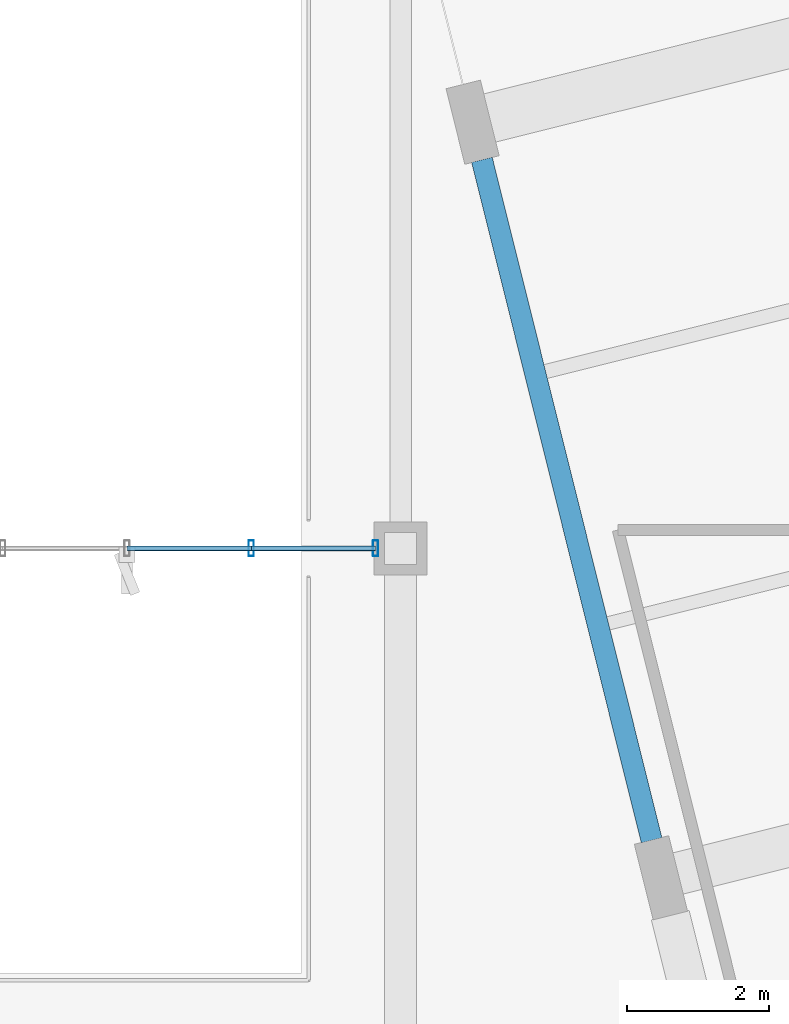
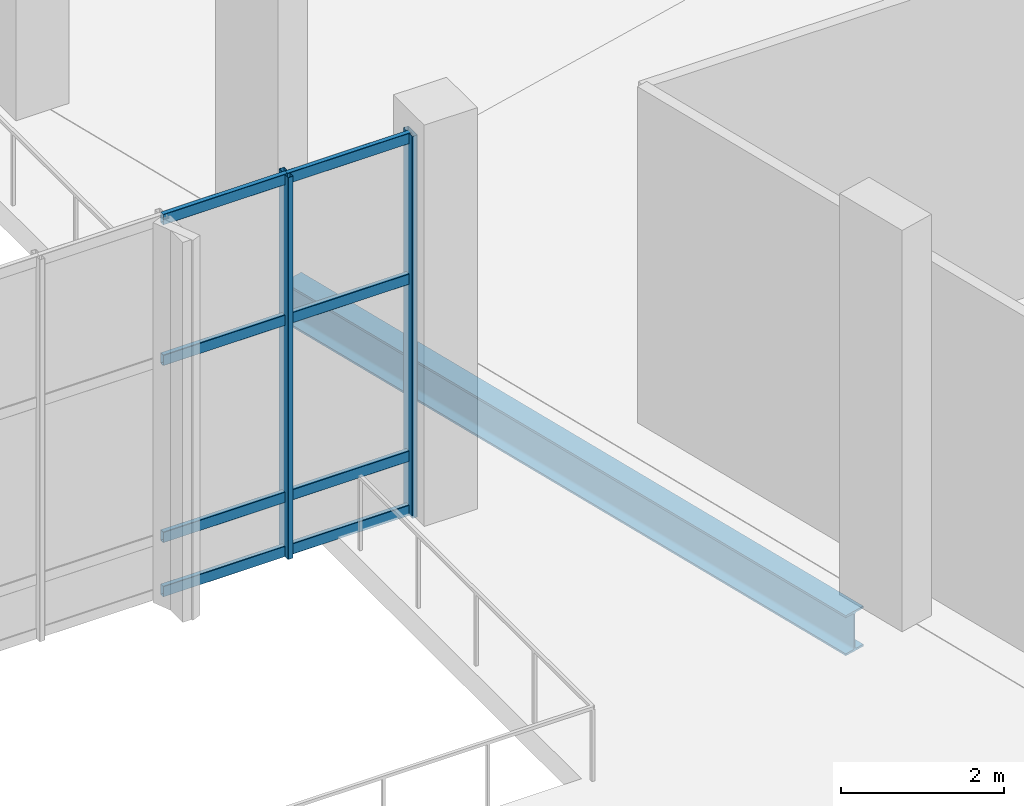
# One storey, part 83 of 163: 10 members, 1 beam, 1 element without a shape of its own.
"""IFC4 building model written with IfcOpenShell, lengths in metres."""

from ifc_helpers import new_model, si_unit, direction, frame, origin, origin_2d, place, context, subcontext, project, spatial, hollow_rectangle, i_section, extrude, material, layer, layer_set, material_profile, profile_set, type_object, element, aggregate, save


model = new_model("IFC4")

# Units and contexts
model_context = context("Model", 3, precision=1e-05, world=origin(), true_north=direction((0.0, 1.0)))
body_context = subcontext(model_context, "Body", "Model", "MODEL_VIEW")
ifc_project = project(units=[si_unit("LENGTHUNIT", "METRE"), si_unit("AREAUNIT", "SQUARE_METRE"), si_unit("VOLUMEUNIT", "CUBIC_METRE"), si_unit("PLANEANGLEUNIT", "RADIAN"), si_unit("MASSUNIT", "GRAM", prefix="KILO")], contexts=[model_context])

# Site, building, storey
site_placement = place(None, origin())
site = spatial("IfcSite", under=ifc_project, at=site_placement, CompositionType="ELEMENT")
building_placement = place(site_placement, origin())
building = spatial("IfcBuilding", under=site, at=building_placement, Name="Khorjan Park Terminus", CompositionType="ELEMENT")
storey_placement = place(building_placement, origin())
storey = spatial("IfcBuildingStorey", under=building, at=storey_placement, Name="L00", CompositionType="ELEMENT", Elevation=0.0)

# Beam
ifc_material_1 = material(Name="Steel S355", Category="steel")
ifc_material_profile_1 = material_profile(ifc_material_1, i_section(OverallWidth=0.3, OverallDepth=0.6, WebThickness=0.0155, FlangeThickness=0.03, FilletRadius=0.027, at=origin_2d()), Name="HEB 600")
ifc_profile_set_1 = profile_set([ifc_material_profile_1], Name="Steel S355")
beam_type = type_object("IfcBeamType", Name="BM-HEB600", PredefinedType="BEAM", material=ifc_profile_set_1)
beam_placement = place(storey_placement, frame((160.5459, 23.8753, -0.66), z_axis=(-0.24192775306, 0.970294265828, 0.0), x_axis=(-0.970294265828, -0.24192775306, 0.0)))
element("IfcBeam", 1, at=beam_placement, inside=storey, type_object=beam_type, Name="Primary skew-grid floor girder SB-B60 (L00)", PredefinedType="BEAM", context=body_context, shape_type="SweptSolid", body=[
    extrude(i_section(OverallWidth=0.3, OverallDepth=0.6, WebThickness=0.0155, FlangeThickness=0.03, FilletRadius=0.027, at=origin_2d()), origin(), (0.0, 0.0, 1.0), 9.91),
])

# Curtain wall, members
ifc_material_2 = material(Name="Anodized Bronze Aluminium", Category="aluminium")
ifc_layer = layer(ifc_material_2, 0.22)
ifc_layer_set = layer_set([ifc_layer], Name="Anodized Bronze Aluminium")
curtain_wall_type = type_object("IfcCurtainWallType", Name="CW-OPS-B", PredefinedType="NOTDEFINED", material=ifc_layer_set)
curtain_wall_placement = place(storey_placement, origin())
curtain_wall = element("IfcCurtainWall", 2, at=curtain_wall_placement, inside=storey, type_object=curtain_wall_type, Name="Unitized curtain wall CW-B (CW-V5L-S-L00-2)", PredefinedType="NOTDEFINED")
ifc_material_profile_2 = material_profile(ifc_material_2, hollow_rectangle(XDim=0.075, YDim=0.225, WallThickness=0.005, InnerFilletRadius=0.005, OuterFilletRadius=0.01, at=origin_2d()), Name="ALM 75x225x5")
ifc_profile_set_2 = profile_set([ifc_material_profile_2], Name="Anodized Bronze Aluminium")
member_type_1 = type_object("IfcMemberType", Name="ML-ALM-225", PredefinedType="MULLION", material=ifc_profile_set_2)
member_1_placement = place(storey_placement, frame((154.8893, 28.0, -0.035), z_axis=(0.0, 0.0, 1.0), x_axis=(1.0, 0.0, 0.0)))
member_1 = element("IfcMember", 3, at=member_1_placement, type_object=member_type_1, Name="Curtain-wall mullion ML-22 (CW-V5L-S-L00-2-6)", PredefinedType="MULLION", context=body_context, shape_type="SweptSolid", body=[
    extrude(hollow_rectangle(XDim=0.075, YDim=0.225, WallThickness=0.005, InnerFilletRadius=0.005, OuterFilletRadius=0.01, at=origin_2d()), origin(), (0.0, 0.0, 1.0), 5.71),
])
member_2_placement = place(storey_placement, frame((156.645, 28.0, -0.035), z_axis=(0.0, 0.0, 1.0), x_axis=(1.0, 0.0, 0.0)))
member_2 = element("IfcMember", 4, at=member_2_placement, type_object=member_type_1, Name="Curtain-wall mullion ML-22 (CW-V5L-S-L00-2-7)", PredefinedType="MULLION", context=body_context, shape_type="SweptSolid", body=[
    extrude(hollow_rectangle(XDim=0.075, YDim=0.225, WallThickness=0.005, InnerFilletRadius=0.005, OuterFilletRadius=0.01, at=origin_2d()), origin(), (0.0, 0.0, 1.0), 5.71),
])
ifc_material_profile_3 = material_profile(ifc_material_2, hollow_rectangle(XDim=0.07, YDim=0.16, WallThickness=0.004, InnerFilletRadius=0.004, OuterFilletRadius=0.008, at=origin_2d()), Name="ALT 70x160x4")
ifc_profile_set_3 = profile_set([ifc_material_profile_3], Name="Anodized Bronze Aluminium")
member_type_2 = type_object("IfcMemberType", Name="TR-ALT-160", PredefinedType="USERDEFINED", material=ifc_profile_set_3)
member_3_placement = place(storey_placement, frame((153.1336, 28.0, 0.04), z_axis=(1.0, 0.0, 0.0), x_axis=(0.0, 1.0, 0.0)))
member_3 = element("IfcMember", 5, at=member_3_placement, type_object=member_type_2, Name="Curtain-wall transom TR-16 (CW-V5L-S-L00-2-5-1)", ObjectType="TRANSOM", PredefinedType="USERDEFINED", context=body_context, shape_type="SweptSolid", body=[
    extrude(hollow_rectangle(XDim=0.07, YDim=0.16, WallThickness=0.004, InnerFilletRadius=0.004, OuterFilletRadius=0.008, at=origin_2d()), origin(), (0.0, 0.0, 1.0), 1.7557),
])
member_4_placement = place(storey_placement, frame((153.1336, 28.0, 0.85), z_axis=(1.0, 0.0, 0.0), x_axis=(0.0, 1.0, 0.0)))
member_4 = element("IfcMember", 6, at=member_4_placement, type_object=member_type_2, Name="Curtain-wall transom TR-16 (CW-V5L-S-L00-2-5-2)", ObjectType="TRANSOM", PredefinedType="USERDEFINED", context=body_context, shape_type="SweptSolid", body=[
    extrude(hollow_rectangle(XDim=0.07, YDim=0.16, WallThickness=0.004, InnerFilletRadius=0.004, OuterFilletRadius=0.008, at=origin_2d()), origin(), (0.0, 0.0, 1.0), 1.7557),
])
member_5_placement = place(storey_placement, frame((153.1336, 28.0, 3.4968), z_axis=(1.0, 0.0, 0.0), x_axis=(0.0, 1.0, 0.0)))
member_5 = element("IfcMember", 7, at=member_5_placement, type_object=member_type_2, Name="Curtain-wall transom TR-16 (CW-V5L-S-L00-2-5-3)", ObjectType="TRANSOM", PredefinedType="USERDEFINED", context=body_context, shape_type="SweptSolid", body=[
    extrude(hollow_rectangle(XDim=0.07, YDim=0.16, WallThickness=0.004, InnerFilletRadius=0.004, OuterFilletRadius=0.008, at=origin_2d()), origin(), (0.0, 0.0, 1.0), 1.7557),
])
member_6_placement = place(storey_placement, frame((153.1336, 28.0, 5.6), z_axis=(1.0, 0.0, 0.0), x_axis=(0.0, 1.0, 0.0)))
member_6 = element("IfcMember", 8, at=member_6_placement, type_object=member_type_2, Name="Curtain-wall transom TR-16 (CW-V5L-S-L00-2-5-4)", ObjectType="TRANSOM", PredefinedType="USERDEFINED", context=body_context, shape_type="SweptSolid", body=[
    extrude(hollow_rectangle(XDim=0.07, YDim=0.16, WallThickness=0.004, InnerFilletRadius=0.004, OuterFilletRadius=0.008, at=origin_2d()), origin(), (0.0, 0.0, 1.0), 1.7557),
])
member_7_placement = place(storey_placement, frame((154.8893, 28.0, 0.04), z_axis=(1.0, 0.0, 0.0), x_axis=(0.0, 1.0, 0.0)))
member_7 = element("IfcMember", 9, at=member_7_placement, type_object=member_type_2, Name="Curtain-wall transom TR-16 (CW-V5L-S-L00-2-6-1)", ObjectType="TRANSOM", PredefinedType="USERDEFINED", context=body_context, shape_type="SweptSolid", body=[
    extrude(hollow_rectangle(XDim=0.07, YDim=0.16, WallThickness=0.004, InnerFilletRadius=0.004, OuterFilletRadius=0.008, at=origin_2d()), origin(), (0.0, 0.0, 1.0), 1.7557),
])
member_8_placement = place(storey_placement, frame((154.8893, 28.0, 0.85), z_axis=(1.0, 0.0, 0.0), x_axis=(0.0, 1.0, 0.0)))
member_8 = element("IfcMember", 10, at=member_8_placement, type_object=member_type_2, Name="Curtain-wall transom TR-16 (CW-V5L-S-L00-2-6-2)", ObjectType="TRANSOM", PredefinedType="USERDEFINED", context=body_context, shape_type="SweptSolid", body=[
    extrude(hollow_rectangle(XDim=0.07, YDim=0.16, WallThickness=0.004, InnerFilletRadius=0.004, OuterFilletRadius=0.008, at=origin_2d()), origin(), (0.0, 0.0, 1.0), 1.7557),
])
member_9_placement = place(storey_placement, frame((154.8893, 28.0, 3.4968), z_axis=(1.0, 0.0, 0.0), x_axis=(0.0, 1.0, 0.0)))
member_9 = element("IfcMember", 11, at=member_9_placement, type_object=member_type_2, Name="Curtain-wall transom TR-16 (CW-V5L-S-L00-2-6-3)", ObjectType="TRANSOM", PredefinedType="USERDEFINED", context=body_context, shape_type="SweptSolid", body=[
    extrude(hollow_rectangle(XDim=0.07, YDim=0.16, WallThickness=0.004, InnerFilletRadius=0.004, OuterFilletRadius=0.008, at=origin_2d()), origin(), (0.0, 0.0, 1.0), 1.7557),
])
member_10_placement = place(storey_placement, frame((154.8893, 28.0, 5.6), z_axis=(1.0, 0.0, 0.0), x_axis=(0.0, 1.0, 0.0)))
member_10 = element("IfcMember", 12, at=member_10_placement, type_object=member_type_2, Name="Curtain-wall transom TR-16 (CW-V5L-S-L00-2-6-4)", ObjectType="TRANSOM", PredefinedType="USERDEFINED", context=body_context, shape_type="SweptSolid", body=[
    extrude(hollow_rectangle(XDim=0.07, YDim=0.16, WallThickness=0.004, InnerFilletRadius=0.004, OuterFilletRadius=0.008, at=origin_2d()), origin(), (0.0, 0.0, 1.0), 1.7557),
])
aggregate(curtain_wall, [member_1, member_2, member_3, member_4, member_5, member_6, member_7, member_8, member_9, member_10])

save(model, "model.ifc")
